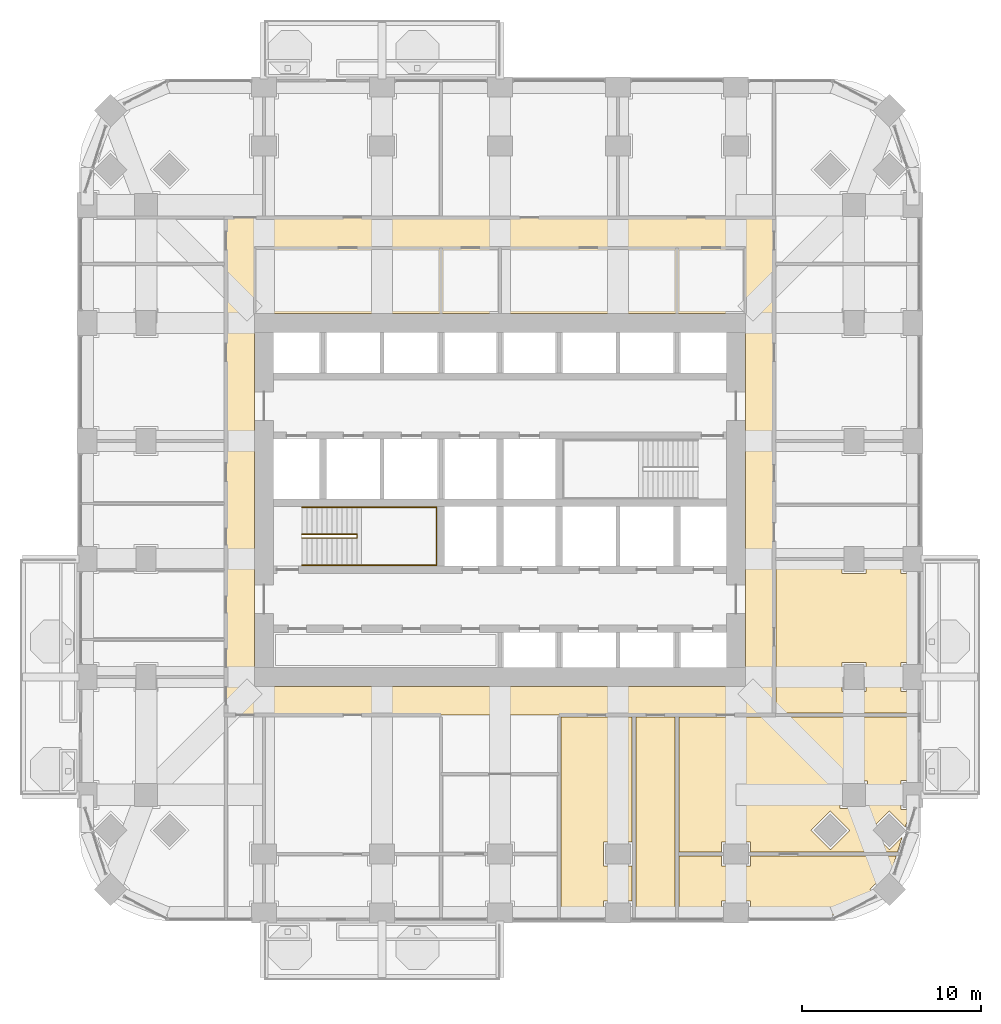
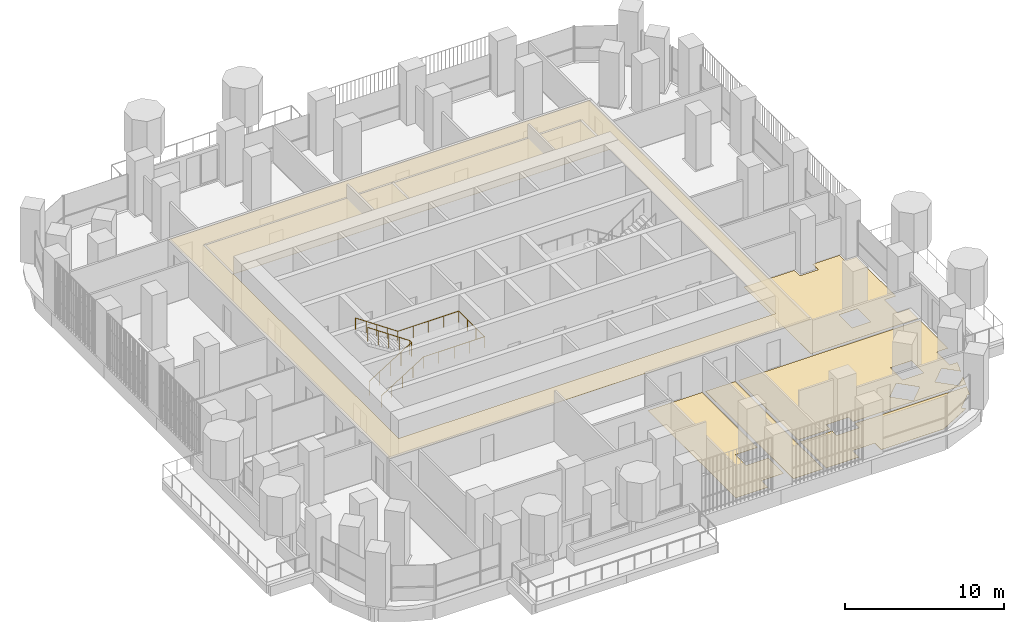
# One storey, part 18 of 21: 6 coverings, 2 railings.
"""IFC4 building model written with IfcOpenShell, lengths in metres."""

from ifc_helpers import new_model, si_unit, direction, frame, origin, place, context, subcontext, project, spatial, polyline, outline, extrude, material, layer, layer_set, type_object, element, save


model = new_model("IFC4")

# Units and contexts
model_context = context("Model", 3, precision=1e-05, world=origin(), true_north=direction((0.0, 1.0)))
body_context = subcontext(model_context, "Body", "Model", "MODEL_VIEW")
ifc_project = project(units=[si_unit("LENGTHUNIT", "METRE"), si_unit("AREAUNIT", "SQUARE_METRE"), si_unit("VOLUMEUNIT", "CUBIC_METRE"), si_unit("PLANEANGLEUNIT", "RADIAN"), si_unit("MASSUNIT", "GRAM", prefix="KILO")], contexts=[model_context])

# Site, building, storey
site_placement = place(None, origin())
site = spatial("IfcSite", under=ifc_project, at=site_placement, CompositionType="ELEMENT")
building_placement = place(site_placement, origin())
building = spatial("IfcBuilding", under=site, at=building_placement, Name="Cobogo Forest Laboratory Tower", CompositionType="ELEMENT")
storey_placement = place(building_placement, frame((0.0, 0.0, 115.800048828125)))
storey = spatial("IfcBuildingStorey", under=building, at=storey_placement, Name="L26", CompositionType="ELEMENT", Elevation=115.800048828125)

# Coverings
ifc_material_1 = material(Name="Mineral fibre ceiling tile", Category="ceiling")
ifc_layer_1 = layer(ifc_material_1, 0.02001953125)
ifc_layer_set_1 = layer_set([ifc_layer_1], Name="CL1 suspended ceiling")
covering_type_1 = type_object("IfcCoveringType", Name="CL1 suspended ceiling", PredefinedType="CEILING", material=ifc_layer_set_1)
covering_1_placement = place(storey_placement, frame((0.0, 0.0, 2.800048828125)))
element("IfcCovering", 1, at=covering_1_placement, inside=storey, type_object=covering_type_1, Name="Corridor ceiling L26", PredefinedType="CEILING", context=body_context, shape_type="SweptSolid", body=[
    extrude(outline(polyline([(11.074951171875, 11.074951171875), (11.074951171875, 38.89990234375), (41.72509765625, 38.89990234375), (41.72509765625, 11.074951171875), (11.074951171875, 11.074951171875)]), holes=[polyline([(40.125, 33.52490234375), (12.675048828125, 33.52490234375), (12.675048828125, 12.675048828125), (40.125, 12.675048828125), (40.125, 33.52490234375)])]), origin(), (0.0, 0.0, 1.0), 0.02001953125),
])
ifc_material_2 = material(Name="Carpet tile on raised access floor", Category="flooring")
ifc_layer_2 = layer(ifc_material_2, 0.008056640625)
ifc_layer_set_2 = layer_set([ifc_layer_2], Name="CT1 carpet tile floor 8")
covering_type_2 = type_object("IfcCoveringType", Name="CT1 carpet tile floor 8", PredefinedType="FLOORING", material=ifc_layer_set_2)
covering_2_placement = place(storey_placement, origin())
element("IfcCovering", 2, at=covering_2_placement, inside=storey, type_object=covering_type_2, Name="Carpet floor L26-10", PredefinedType="FLOORING", context=body_context, shape_type="SweptSolid", body=[
    extrude(outline(polyline([(32.179931640625, 3.969970703125), (32.179931640625, 2.6298828125), (33.780029296875, 2.6298828125), (33.780029296875, 0.669921875), (32.179931640625, 0.669921875), (32.179931640625, -0.14990234375), (29.820068359375, -0.14990234375), (29.820068359375, 10.955078125), (33.780029296875, 10.955078125), (33.780029296875, 3.969970703125), (32.179931640625, 3.969970703125)])), origin(), (0.0, 0.0, 1.0), 0.008056640625),
])
covering_3_placement = place(storey_placement, origin())
element("IfcCovering", 3, at=covering_3_placement, inside=storey, type_object=covering_type_2, Name="Carpet floor L26-13", PredefinedType="FLOORING", context=body_context, shape_type="SweptSolid", body=[
    extrude(outline(polyline([(38.780029296875, 3.179931640625), (38.780029296875, 2.6298828125), (40.419921875, 2.6298828125), (40.419921875, 3.179931640625), (48.560302734375, 3.179931640625), (48.283935546875, 2.304931640625), (48.181884765625, 2.406982421875), (47.093017578125, 1.318115234375), (47.3193359375, 1.091552734375), (44.95068359375, -0.14990234375), (40.419921875, -0.14990234375), (40.419921875, 0.669921875), (38.780029296875, 0.669921875), (38.780029296875, -0.14990234375), (36.419921875, -0.14990234375), (36.419921875, 3.179931640625), (38.780029296875, 3.179931640625)])), origin(), (0.0, 0.0, 1.0), 0.008056640625),
])
covering_4_placement = place(storey_placement, origin())
element("IfcCovering", 4, at=covering_4_placement, inside=storey, type_object=covering_type_2, Name="Carpet floor L26-14", PredefinedType="FLOORING", context=body_context, shape_type="SweptSolid", body=[
    extrude(outline(polyline([(41.844970703125, 19.679931640625), (45.530029296875, 19.679931640625), (45.530029296875, 18.97998046875), (46.8701171875, 18.97998046875), (46.8701171875, 19.679931640625), (48.830078125, 19.679931640625), (48.830078125, 18.97998046875), (49.64990234375, 18.97998046875), (49.64990234375, 14.02001953125), (48.830078125, 14.02001953125), (48.830078125, 12.3798828125), (49.64990234375, 12.3798828125), (49.64990234375, 11.195068359375), (41.844970703125, 11.195068359375), (41.844970703125, 19.679931640625)]), holes=[polyline([(45.530029296875, 12.3798828125), (46.8701171875, 12.3798828125), (46.8701171875, 14.02001953125), (45.530029296875, 14.02001953125), (45.530029296875, 12.3798828125)])]), origin(), (0.0, 0.0, 1.0), 0.008056640625),
])

# Railings
ifc_material_3 = material(Name="Steel balustrade", Category="steel")
railing_type_1 = type_object("IfcRailingType", Name="GR stair guard 1100", PredefinedType="GUARDRAIL", material=ifc_material_3)
railing_1_placement = place(storey_placement, frame((15.324951171875, 20.969970703125, 0.175048828125)))
element("IfcRailing", 5, at=railing_1_placement, inside=storey, type_object=railing_type_1, Name="Stair guard ST1 L26", PredefinedType="GUARDRAIL", context=body_context, shape_type="SweptSolid", body=[
    extrude(outline(polyline([(0.022216796875, 0.00927734375), (0.00927734375, 0.022216796875), (-0.00927734375, 0.022216796875), (-0.022216796875, 0.00927734375), (-0.022216796875, -0.00927734375), (-0.00927734375, -0.022216796875), (0.00927734375, -0.022216796875), (0.022216796875, -0.00927734375), (0.022216796875, 0.00927734375)])), frame((0.0, 0.0, 1.077880859375), z_axis=(0.848028513186, 0.0, 0.529950602248), x_axis=(0.0, 1.0, 0.0)), (0.0, 0.0, 1.0), 3.632080078125),
    extrude(outline(polyline([(0.022216796875, 0.00927734375), (0.00927734375, 0.022216796875), (-0.00927734375, 0.022216796875), (-0.022216796875, 0.00927734375), (-0.022216796875, -0.00927734375), (-0.00927734375, -0.022216796875), (0.00927734375, -0.022216796875), (0.022216796875, -0.00927734375), (0.022216796875, 0.00927734375)])), frame((3.080078125, 0.0, 3.002685546875), z_axis=(0.0, 1.0, 0.0), x_axis=(-1.0, 0.0, 0.0)), (0.0, 0.0, 1.0), 0.2099609375),
    extrude(outline(polyline([(0.022216796875, 0.00927734375), (0.00927734375, 0.022216796875), (-0.00927734375, 0.022216796875), (-0.022216796875, 0.00927734375), (-0.022216796875, -0.00927734375), (-0.00927734375, -0.022216796875), (0.00927734375, -0.022216796875), (0.022216796875, -0.00927734375), (0.022216796875, 0.00927734375)])), frame((3.080078125, 0.2099609375, 3.002685546875), z_axis=(-0.826221800596, 0.0, 0.563344953133), x_axis=(0.0, -1.0, 0.0)), (0.0, 0.0, 1.0), 3.72802734375),
    extrude(outline(polyline([(0.019287109375, 0.008056640625), (0.008056640625, 0.019287109375), (-0.008056640625, 0.019287109375), (-0.019287109375, 0.008056640625), (-0.019287109375, -0.008056640625), (-0.008056640625, -0.019287109375), (0.008056640625, -0.019287109375), (0.019287109375, -0.008056640625), (0.019287109375, 0.008056640625)])), origin(), (0.0, 0.0, 1.0), 1.077880859375),
    extrude(outline(polyline([(0.019287109375, 0.008056640625), (0.008056640625, 0.019287109375), (-0.008056640625, 0.019287109375), (-0.019287109375, 0.008056640625), (-0.019287109375, -0.008056640625), (-0.008056640625, -0.019287109375), (0.008056640625, -0.019287109375), (0.019287109375, -0.008056640625), (0.019287109375, 0.008056640625)])), frame((0.77001953125, 0.0, 0.481201171875)), (0.0, 0.0, 1.0), 1.077880859375),
    extrude(outline(polyline([(0.019287109375, 0.008056640625), (0.008056640625, 0.019287109375), (-0.008056640625, 0.019287109375), (-0.019287109375, 0.008056640625), (-0.019287109375, -0.008056640625), (-0.008056640625, -0.019287109375), (0.008056640625, -0.019287109375), (0.019287109375, -0.008056640625), (0.019287109375, 0.008056640625)])), frame((1.5400390625, 0.0, 0.96240234375)), (0.0, 0.0, 1.0), 1.077880859375),
    extrude(outline(polyline([(0.019287109375, 0.008056640625), (0.008056640625, 0.019287109375), (-0.008056640625, 0.019287109375), (-0.019287109375, 0.008056640625), (-0.019287109375, -0.008056640625), (-0.008056640625, -0.019287109375), (0.008056640625, -0.019287109375), (0.019287109375, -0.008056640625), (0.019287109375, 0.008056640625)])), frame((2.31005859375, 0.0, 1.443603515625)), (0.0, 0.0, 1.0), 1.077880859375),
    extrude(outline(polyline([(0.019287109375, 0.008056640625), (0.008056640625, 0.019287109375), (-0.008056640625, 0.019287109375), (-0.019287109375, 0.008056640625), (-0.019287109375, -0.008056640625), (-0.008056640625, -0.019287109375), (0.008056640625, -0.019287109375), (0.019287109375, -0.008056640625), (0.019287109375, 0.008056640625)])), frame((3.080078125, 0.0, 1.9248046875)), (0.0, 0.0, 1.0), 1.077880859375),
    extrude(outline(polyline([(0.019287109375, 0.008056640625), (0.008056640625, 0.019287109375), (-0.008056640625, 0.019287109375), (-0.019287109375, 0.008056640625), (-0.019287109375, -0.008056640625), (-0.008056640625, -0.019287109375), (0.008056640625, -0.019287109375), (0.019287109375, -0.008056640625), (0.019287109375, 0.008056640625)])), frame((3.080078125, 0.2099609375, 1.9248046875)), (0.0, 0.0, 1.0), 1.077880859375),
    extrude(outline(polyline([(0.019287109375, 0.008056640625), (0.008056640625, 0.019287109375), (-0.008056640625, 0.019287109375), (-0.019287109375, 0.008056640625), (-0.019287109375, -0.008056640625), (-0.008056640625, -0.019287109375), (0.008056640625, -0.019287109375), (0.019287109375, -0.008056640625), (0.019287109375, 0.008056640625)])), frame((2.31005859375, 0.2099609375, 2.44970703125)), (0.0, 0.0, 1.0), 1.077880859375),
    extrude(outline(polyline([(0.019287109375, 0.008056640625), (0.008056640625, 0.019287109375), (-0.008056640625, 0.019287109375), (-0.019287109375, 0.008056640625), (-0.019287109375, -0.008056640625), (-0.008056640625, -0.019287109375), (0.008056640625, -0.019287109375), (0.019287109375, -0.008056640625), (0.019287109375, 0.008056640625)])), frame((1.5400390625, 0.2099609375, 2.974853515625)), (0.0, 0.0, 1.0), 1.077880859375),
    extrude(outline(polyline([(0.019287109375, 0.008056640625), (0.008056640625, 0.019287109375), (-0.008056640625, 0.019287109375), (-0.019287109375, 0.008056640625), (-0.019287109375, -0.008056640625), (-0.008056640625, -0.019287109375), (0.008056640625, -0.019287109375), (0.019287109375, -0.008056640625), (0.019287109375, 0.008056640625)])), frame((0.77001953125, 0.2099609375, 3.5)), (0.0, 0.0, 1.0), 1.077880859375),
    extrude(outline(polyline([(0.019287109375, 0.008056640625), (0.008056640625, 0.019287109375), (-0.008056640625, 0.019287109375), (-0.019287109375, 0.008056640625), (-0.019287109375, -0.008056640625), (-0.008056640625, -0.019287109375), (0.008056640625, -0.019287109375), (0.019287109375, -0.008056640625), (0.019287109375, 0.008056640625)])), frame((0.0, 0.2099609375, 4.02490234375)), (0.0, 0.0, 1.0), 1.077880859375),
])
ifc_material_4 = material(Name="Stainless steel handrail", Category="steel")
railing_type_2 = type_object("IfcRailingType", Name="HR handrail 900", PredefinedType="HANDRAIL", material=ifc_material_4)
railing_2_placement = place(storey_placement, frame((15.324951171875, 19.449951171875, 0.175048828125)))
element("IfcRailing", 6, at=railing_2_placement, inside=storey, type_object=railing_type_2, Name="Stair handrail ST1 L26", PredefinedType="HANDRAIL", context=body_context, shape_type="SweptSolid", body=[
    extrude(outline(polyline([(0.022216796875, 0.00927734375), (0.00927734375, 0.022216796875), (-0.00927734375, 0.022216796875), (-0.022216796875, 0.00927734375), (-0.022216796875, -0.00927734375), (-0.00927734375, -0.022216796875), (0.00927734375, -0.022216796875), (0.022216796875, -0.00927734375), (0.022216796875, 0.00927734375)])), frame((0.0, 0.0, 0.877685546875), z_axis=(0.848028513186, 0.0, 0.529950602248), x_axis=(0.0, 1.0, 0.0)), (0.0, 0.0, 1.0), 3.632080078125),
    extrude(outline(polyline([(0.022216796875, 0.00927734375), (0.00927734375, 0.022216796875), (-0.00927734375, 0.022216796875), (-0.022216796875, 0.00927734375), (-0.022216796875, -0.00927734375), (-0.00927734375, -0.022216796875), (0.00927734375, -0.022216796875), (0.022216796875, -0.00927734375), (0.022216796875, 0.00927734375)])), frame((3.080078125, 0.0, 2.802490234375), z_axis=(1.0, 0.0, 0.0), x_axis=(0.0, 1.0, 0.0)), (0.0, 0.0, 1.0), 4.445068359375),
    extrude(outline(polyline([(0.022216796875, 0.00927734375), (0.00927734375, 0.022216796875), (-0.00927734375, 0.022216796875), (-0.022216796875, 0.00927734375), (-0.022216796875, -0.00927734375), (-0.00927734375, -0.022216796875), (0.00927734375, -0.022216796875), (0.022216796875, -0.00927734375), (0.022216796875, 0.00927734375)])), frame((7.525146484375, 0.0, 2.802490234375), z_axis=(0.0, 1.0, 0.0), x_axis=(-1.0, 0.0, 0.0)), (0.0, 0.0, 1.0), 3.25),
    extrude(outline(polyline([(0.022216796875, 0.00927734375), (0.00927734375, 0.022216796875), (-0.00927734375, 0.022216796875), (-0.022216796875, 0.00927734375), (-0.022216796875, -0.00927734375), (-0.00927734375, -0.022216796875), (0.00927734375, -0.022216796875), (0.022216796875, -0.00927734375), (0.022216796875, 0.00927734375)])), frame((7.525146484375, 3.25, 2.802490234375), z_axis=(-1.0, 0.0, 0.0), x_axis=(0.0, -1.0, 0.0)), (0.0, 0.0, 1.0), 4.445068359375),
    extrude(outline(polyline([(0.022216796875, 0.00927734375), (0.00927734375, 0.022216796875), (-0.00927734375, 0.022216796875), (-0.022216796875, 0.00927734375), (-0.022216796875, -0.00927734375), (-0.00927734375, -0.022216796875), (0.00927734375, -0.022216796875), (0.022216796875, -0.00927734375), (0.022216796875, 0.00927734375)])), frame((3.080078125, 3.25, 2.802490234375), z_axis=(-0.826221800596, 0.0, 0.563344953133), x_axis=(0.0, -1.0, 0.0)), (0.0, 0.0, 1.0), 3.72802734375),
    extrude(outline(polyline([(0.019287109375, 0.008056640625), (0.008056640625, 0.019287109375), (-0.008056640625, 0.019287109375), (-0.019287109375, 0.008056640625), (-0.019287109375, -0.008056640625), (-0.008056640625, -0.019287109375), (0.008056640625, -0.019287109375), (0.019287109375, -0.008056640625), (0.019287109375, 0.008056640625)])), origin(), (0.0, 0.0, 1.0), 0.877685546875),
    extrude(outline(polyline([(0.019287109375, 0.008056640625), (0.008056640625, 0.019287109375), (-0.008056640625, 0.019287109375), (-0.019287109375, 0.008056640625), (-0.019287109375, -0.008056640625), (-0.008056640625, -0.019287109375), (0.008056640625, -0.019287109375), (0.019287109375, -0.008056640625), (0.019287109375, 0.008056640625)])), frame((0.77001953125, 0.0, 0.481201171875)), (0.0, 0.0, 1.0), 0.877685546875),
    extrude(outline(polyline([(0.019287109375, 0.008056640625), (0.008056640625, 0.019287109375), (-0.008056640625, 0.019287109375), (-0.019287109375, 0.008056640625), (-0.019287109375, -0.008056640625), (-0.008056640625, -0.019287109375), (0.008056640625, -0.019287109375), (0.019287109375, -0.008056640625), (0.019287109375, 0.008056640625)])), frame((1.5400390625, 0.0, 0.96240234375)), (0.0, 0.0, 1.0), 0.877685546875),
    extrude(outline(polyline([(0.019287109375, 0.008056640625), (0.008056640625, 0.019287109375), (-0.008056640625, 0.019287109375), (-0.019287109375, 0.008056640625), (-0.019287109375, -0.008056640625), (-0.008056640625, -0.019287109375), (0.008056640625, -0.019287109375), (0.019287109375, -0.008056640625), (0.019287109375, 0.008056640625)])), frame((2.31005859375, 0.0, 1.443603515625)), (0.0, 0.0, 1.0), 0.877685546875),
    extrude(outline(polyline([(0.019287109375, 0.008056640625), (0.008056640625, 0.019287109375), (-0.008056640625, 0.019287109375), (-0.019287109375, 0.008056640625), (-0.019287109375, -0.008056640625), (-0.008056640625, -0.019287109375), (0.008056640625, -0.019287109375), (0.019287109375, -0.008056640625), (0.019287109375, 0.008056640625)])), frame((3.080078125, 0.0, 1.9248046875)), (0.0, 0.0, 1.0), 0.877685546875),
    extrude(outline(polyline([(0.019287109375, 0.008056640625), (0.008056640625, 0.019287109375), (-0.008056640625, 0.019287109375), (-0.019287109375, 0.008056640625), (-0.019287109375, -0.008056640625), (-0.008056640625, -0.019287109375), (0.008056640625, -0.019287109375), (0.019287109375, -0.008056640625), (0.019287109375, 0.008056640625)])), frame((4.19140625, 0.0, 1.9248046875)), (0.0, 0.0, 1.0), 0.877685546875),
    extrude(outline(polyline([(0.019287109375, 0.008056640625), (0.008056640625, 0.019287109375), (-0.008056640625, 0.019287109375), (-0.019287109375, 0.008056640625), (-0.019287109375, -0.008056640625), (-0.008056640625, -0.019287109375), (0.008056640625, -0.019287109375), (0.019287109375, -0.008056640625), (0.019287109375, 0.008056640625)])), frame((5.302734375, 0.0, 1.9248046875)), (0.0, 0.0, 1.0), 0.877685546875),
    extrude(outline(polyline([(0.019287109375, 0.008056640625), (0.008056640625, 0.019287109375), (-0.008056640625, 0.019287109375), (-0.019287109375, 0.008056640625), (-0.019287109375, -0.008056640625), (-0.008056640625, -0.019287109375), (0.008056640625, -0.019287109375), (0.019287109375, -0.008056640625), (0.019287109375, 0.008056640625)])), frame((6.413818359375, 0.0, 1.9248046875)), (0.0, 0.0, 1.0), 0.877685546875),
    extrude(outline(polyline([(0.019287109375, 0.008056640625), (0.008056640625, 0.019287109375), (-0.008056640625, 0.019287109375), (-0.019287109375, 0.008056640625), (-0.019287109375, -0.008056640625), (-0.008056640625, -0.019287109375), (0.008056640625, -0.019287109375), (0.019287109375, -0.008056640625), (0.019287109375, 0.008056640625)])), frame((7.525146484375, 0.0, 1.9248046875)), (0.0, 0.0, 1.0), 0.877685546875),
    extrude(outline(polyline([(0.019287109375, 0.008056640625), (0.008056640625, 0.019287109375), (-0.008056640625, 0.019287109375), (-0.019287109375, 0.008056640625), (-0.019287109375, -0.008056640625), (-0.008056640625, -0.019287109375), (0.008056640625, -0.019287109375), (0.019287109375, -0.008056640625), (0.019287109375, 0.008056640625)])), frame((7.525146484375, 1.083251953125, 1.9248046875)), (0.0, 0.0, 1.0), 0.877685546875),
    extrude(outline(polyline([(0.019287109375, 0.008056640625), (0.008056640625, 0.019287109375), (-0.008056640625, 0.019287109375), (-0.019287109375, 0.008056640625), (-0.019287109375, -0.008056640625), (-0.008056640625, -0.019287109375), (0.008056640625, -0.019287109375), (0.019287109375, -0.008056640625), (0.019287109375, 0.008056640625)])), frame((7.525146484375, 2.166748046875, 1.9248046875)), (0.0, 0.0, 1.0), 0.877685546875),
    extrude(outline(polyline([(0.019287109375, 0.008056640625), (0.008056640625, 0.019287109375), (-0.008056640625, 0.019287109375), (-0.019287109375, 0.008056640625), (-0.019287109375, -0.008056640625), (-0.008056640625, -0.019287109375), (0.008056640625, -0.019287109375), (0.019287109375, -0.008056640625), (0.019287109375, 0.008056640625)])), frame((7.525146484375, 3.25, 1.9248046875)), (0.0, 0.0, 1.0), 0.877685546875),
    extrude(outline(polyline([(0.019287109375, 0.008056640625), (0.008056640625, 0.019287109375), (-0.008056640625, 0.019287109375), (-0.019287109375, 0.008056640625), (-0.019287109375, -0.008056640625), (-0.008056640625, -0.019287109375), (0.008056640625, -0.019287109375), (0.019287109375, -0.008056640625), (0.019287109375, 0.008056640625)])), frame((6.413818359375, 3.25, 1.9248046875)), (0.0, 0.0, 1.0), 0.877685546875),
    extrude(outline(polyline([(0.019287109375, 0.008056640625), (0.008056640625, 0.019287109375), (-0.008056640625, 0.019287109375), (-0.019287109375, 0.008056640625), (-0.019287109375, -0.008056640625), (-0.008056640625, -0.019287109375), (0.008056640625, -0.019287109375), (0.019287109375, -0.008056640625), (0.019287109375, 0.008056640625)])), frame((5.302734375, 3.25, 1.9248046875)), (0.0, 0.0, 1.0), 0.877685546875),
    extrude(outline(polyline([(0.019287109375, 0.008056640625), (0.008056640625, 0.019287109375), (-0.008056640625, 0.019287109375), (-0.019287109375, 0.008056640625), (-0.019287109375, -0.008056640625), (-0.008056640625, -0.019287109375), (0.008056640625, -0.019287109375), (0.019287109375, -0.008056640625), (0.019287109375, 0.008056640625)])), frame((4.19140625, 3.25, 1.9248046875)), (0.0, 0.0, 1.0), 0.877685546875),
    extrude(outline(polyline([(0.019287109375, 0.008056640625), (0.008056640625, 0.019287109375), (-0.008056640625, 0.019287109375), (-0.019287109375, 0.008056640625), (-0.019287109375, -0.008056640625), (-0.008056640625, -0.019287109375), (0.008056640625, -0.019287109375), (0.019287109375, -0.008056640625), (0.019287109375, 0.008056640625)])), frame((3.080078125, 3.25, 1.9248046875)), (0.0, 0.0, 1.0), 0.877685546875),
    extrude(outline(polyline([(0.019287109375, 0.008056640625), (0.008056640625, 0.019287109375), (-0.008056640625, 0.019287109375), (-0.019287109375, 0.008056640625), (-0.019287109375, -0.008056640625), (-0.008056640625, -0.019287109375), (0.008056640625, -0.019287109375), (0.019287109375, -0.008056640625), (0.019287109375, 0.008056640625)])), frame((2.31005859375, 3.25, 2.44970703125)), (0.0, 0.0, 1.0), 0.877685546875),
    extrude(outline(polyline([(0.019287109375, 0.008056640625), (0.008056640625, 0.019287109375), (-0.008056640625, 0.019287109375), (-0.019287109375, 0.008056640625), (-0.019287109375, -0.008056640625), (-0.008056640625, -0.019287109375), (0.008056640625, -0.019287109375), (0.019287109375, -0.008056640625), (0.019287109375, 0.008056640625)])), frame((1.5400390625, 3.25, 2.974853515625)), (0.0, 0.0, 1.0), 0.877685546875),
    extrude(outline(polyline([(0.019287109375, 0.008056640625), (0.008056640625, 0.019287109375), (-0.008056640625, 0.019287109375), (-0.019287109375, 0.008056640625), (-0.019287109375, -0.008056640625), (-0.008056640625, -0.019287109375), (0.008056640625, -0.019287109375), (0.019287109375, -0.008056640625), (0.019287109375, 0.008056640625)])), frame((0.77001953125, 3.25, 3.5)), (0.0, 0.0, 1.0), 0.877685546875),
    extrude(outline(polyline([(0.019287109375, 0.008056640625), (0.008056640625, 0.019287109375), (-0.008056640625, 0.019287109375), (-0.019287109375, 0.008056640625), (-0.019287109375, -0.008056640625), (-0.008056640625, -0.019287109375), (0.008056640625, -0.019287109375), (0.019287109375, -0.008056640625), (0.019287109375, 0.008056640625)])), frame((0.0, 3.25, 4.02490234375)), (0.0, 0.0, 1.0), 0.877685546875),
])

# Coverings
ifc_material_5 = material(Name="Epoxy resin flooring", Category="flooring")
ifc_layer_3 = layer(ifc_material_5, 0.00390625)
ifc_layer_set_3 = layer_set([ifc_layer_3], Name="LF1 epoxy laboratory floor 4")
covering_type_3 = type_object("IfcCoveringType", Name="LF1 epoxy laboratory floor 4", PredefinedType="FLOORING", material=ifc_layer_set_3)
covering_5_placement = place(storey_placement, origin())
element("IfcCovering", 7, at=covering_5_placement, inside=storey, type_object=covering_type_3, Name="Epoxy laboratory floor L26-12", PredefinedType="FLOORING", context=body_context, shape_type="SweptSolid", body=[
    extrude(outline(polyline([(36.419921875, 10.955078125), (49.64990234375, 10.955078125), (49.64990234375, 7.419921875), (48.830078125, 7.419921875), (48.830078125, 5.780029296875), (49.38134765625, 5.780029296875), (49.075927734375, 4.81298828125), (48.181884765625, 5.70703125), (47.093017578125, 4.617919921875), (48.181884765625, 3.529052734375), (48.89599609375, 4.2431640625), (48.635986328125, 3.419921875), (40.419921875, 3.419921875), (40.419921875, 3.969970703125), (38.780029296875, 3.969970703125), (38.780029296875, 3.419921875), (36.419921875, 3.419921875), (36.419921875, 10.955078125)]), holes=[polyline([(45.429931640625, 5.830078125), (46.969970703125, 5.830078125), (46.969970703125, 7.3701171875), (45.429931640625, 7.3701171875), (45.429931640625, 5.830078125)]), polyline([(43.79296875, 4.617919921875), (44.882080078125, 3.529052734375), (45.970947265625, 4.617919921875), (44.882080078125, 5.70703125), (43.79296875, 4.617919921875)])]), origin(), (0.0, 0.0, 1.0), 0.00390625),
])
ifc_material_6 = material(Name="Ceramic floor tile", Category="flooring")
ifc_layer_4 = layer(ifc_material_6, 0.010009765625)
ifc_layer_set_4 = layer_set([ifc_layer_4], Name="TF1 ceramic tile floor 10")
covering_type_4 = type_object("IfcCoveringType", Name="TF1 ceramic tile floor 10", PredefinedType="FLOORING", material=ifc_layer_set_4)
covering_6_placement = place(storey_placement, origin())
element("IfcCovering", 8, at=covering_6_placement, inside=storey, type_object=covering_type_4, Name="Tile floor L26-11", PredefinedType="FLOORING", context=body_context, shape_type="SweptSolid", body=[
    extrude(outline(polyline([(34.02001953125, 10.955078125), (36.179931640625, 10.955078125), (36.179931640625, -0.14990234375), (34.02001953125, -0.14990234375), (34.02001953125, 10.955078125)])), origin(), (0.0, 0.0, 1.0), 0.010009765625),
])

save(model, "model.ifc")
